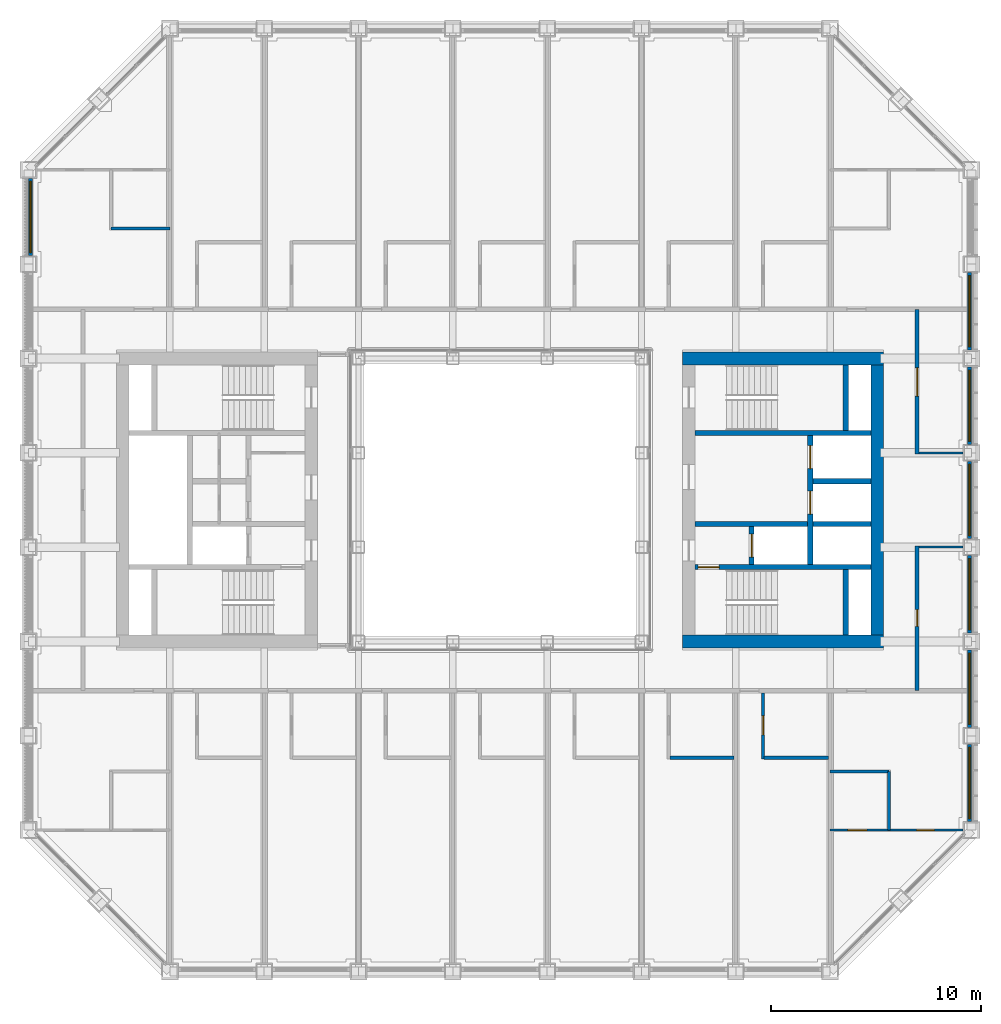
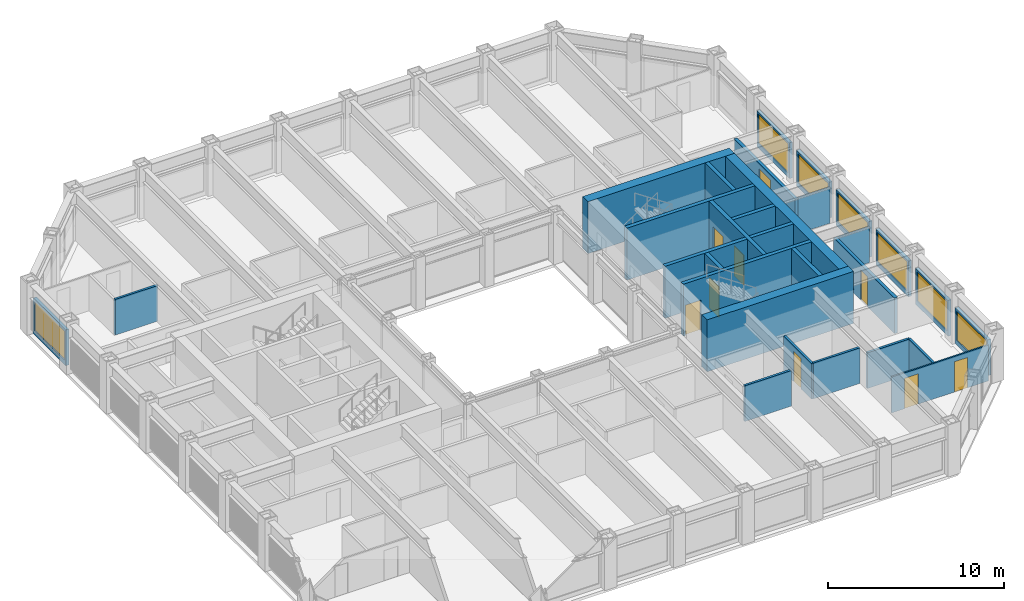
# One storey, part 13 of 18: 30 walls, 9 doors, 7 windows, 16 openings.
"""IFC4 building model written with IfcOpenShell, lengths in metres."""

from ifc_helpers import new_model, si_unit, direction, frame, frame_2d, origin, place, context, subcontext, project, spatial, rectangle, extrude, material, layer, layer_set, type_object, element, fill, save


model = new_model("IFC4")

# Units and contexts
model_context = context("Model", 3, precision=1e-05, world=origin(), true_north=direction((0.0, 1.0)))
body_context = subcontext(model_context, "Body", "Model", "MODEL_VIEW")
ifc_project = project(units=[si_unit("LENGTHUNIT", "METRE"), si_unit("AREAUNIT", "SQUARE_METRE"), si_unit("VOLUMEUNIT", "CUBIC_METRE"), si_unit("PLANEANGLEUNIT", "RADIAN"), si_unit("MASSUNIT", "GRAM", prefix="KILO")], contexts=[model_context])

# Site, building, storey
site_placement = place(None, origin())
site = spatial("IfcSite", under=ifc_project, at=site_placement, CompositionType="ELEMENT")
building_placement = place(site_placement, origin())
building = spatial("IfcBuilding", under=site, at=building_placement, Name="Msasa Ring Tower", CompositionType="ELEMENT")
storey_placement = place(building_placement, frame((0.0, 0.0, 118.39990234375)))
storey = spatial("IfcBuildingStorey", under=building, at=storey_placement, Name="L30", CompositionType="ELEMENT", Elevation=118.39990234375)

# Walls
ifc_material_1 = material(Name="Concrete C60/75", Category="concrete")
ifc_layer_1 = layer(ifc_material_1, 0.60009765625)
ifc_layer_set_1 = layer_set([ifc_layer_1], Name="CW2 CORE WALL 600")
wall_type_1 = type_object("IfcWallType", Name="CW2 CORE WALL 600", PredefinedType="SHEAR", material=ifc_layer_set_1)
for number, where, z_axis, x_axis, name in (
    (1, (8.699951171875, -6.75, 0.0), (0.0, 0.0, 1.0), (1.0, 0.0, 0.0), "E core wall S L30"),
    (2, (8.699951171875, 6.75, 0.0), (0.0, 0.0, 1.0), (1.0, 0.0, 0.0), "E core wall N L30"),
):
    element("IfcWall", number, at=place(storey_placement, frame(where, z_axis=z_axis, x_axis=x_axis)), inside=storey, type_object=wall_type_1, Name=name, PredefinedType="SHEAR", context=body_context, shape_type="SweptSolid", body=[
        extrude(rectangle(XDim=9.60009765625, YDim=0.60009765625, at=frame_2d((4.800048828125, 0.0))), origin(), (0.0, 0.0, 1.0), 3.60009765625),
    ])
wall_1_placement = place(storey_placement, frame((18.0, -6.449951171875, 0.0), z_axis=(0.0, 0.0, 1.0), x_axis=(0.0, 1.0, 0.0)))
element("IfcWall", 3, at=wall_1_placement, inside=storey, type_object=wall_type_1, Name="E core wall E L30", PredefinedType="SHEAR", context=body_context, shape_type="SweptSolid", body=[
    extrude(rectangle(XDim=12.89990234375, YDim=0.60009765625, at=frame_2d((6.449951171875, 0.0))), origin(), (0.0, 0.0, 1.0), 3.60009765625),
])

# Wall, opening, door
ifc_material_2 = material(Name="Concrete C60/75", Category="concrete")
ifc_layer_2 = layer(ifc_material_2, 0.25)
ifc_layer_set_2 = layer_set([ifc_layer_2], Name="CW4 CORE INNER WALL 250")
wall_type_2 = type_object("IfcWallType", Name="CW4 CORE INNER WALL 250", PredefinedType="SHEAR", material=ifc_layer_set_2)
wall_2_placement = place(storey_placement, frame((9.300048828125, -3.199951171875, 0.0), z_axis=(0.0, 0.0, 1.0), x_axis=(1.0, 0.0, 0.0)))
wall_2 = element("IfcWall", 4, at=wall_2_placement, inside=storey, type_object=wall_type_2, Name="E core wall STAIRA L30", PredefinedType="SHEAR", context=body_context, shape_type="SweptSolid", body=[
    extrude(rectangle(XDim=8.39990234375, YDim=0.25, at=frame_2d((4.199951171875, 0.0))), origin(), (0.0, 0.0, 1.0), 3.60009765625),
])
opening_1_placement = place(wall_2_placement, frame((0.14990234375, 0.0, 0.0)))
opening_1 = element("IfcOpeningElement", 5, at=opening_1_placement, cuts=wall_2, Name="Opening HA-036", PredefinedType="OPENING", context=body_context, shape_type="SweptSolid", body=[
    extrude(rectangle(XDim=1.0, YDim=2.10009765625, at=frame_2d((0.5, 1.050048828125))), frame((0.0, 0.135009765625, 0.0), z_axis=(0.0, -1.0, 0.0), x_axis=(1.0, 0.0, 0.0)), (0.0, 0.0, 1.0), 0.27001953125),
])
ifc_material_3 = material(Name="Timber door leaf in a steel frame", Category="steel")
door_type_1 = type_object("IfcDoorType", Name="D6 STAIR DOOR 1000x2100", OperationType="SINGLE_SWING_LEFT", PredefinedType="DOOR", material=ifc_material_3)
door_1_placement = place(opening_1_placement, origin())
door_1 = element("IfcDoor", 6, at=door_1_placement, inside=storey, type_object=door_type_1, Name="Door L30-ESTA", OperationType="SINGLE_SWING_LEFT", OverallHeight=2.10009765625, OverallWidth=1.0, PredefinedType="DOOR", context=body_context, shape_type="SweptSolid", body=[
    extrude(rectangle(XDim=1.0, YDim=2.10009765625, at=frame_2d((0.5, 1.050048828125))), frame((0.0, 0.02490234375, 0.0), z_axis=(0.0, -1.0, 0.0), x_axis=(1.0, 0.0, 0.0)), (0.0, 0.0, 1.0), 0.050048828125),
])
fill(opening_1, door_1)

# Walls
wall_3_placement = place(storey_placement, frame((9.300048828125, 3.199951171875, 0.0), z_axis=(0.0, 0.0, 1.0), x_axis=(1.0, 0.0, 0.0)))
element("IfcWall", 7, at=wall_3_placement, inside=storey, type_object=wall_type_2, Name="E core wall STAIRB L30", PredefinedType="SHEAR", context=body_context, shape_type="SweptSolid", body=[
    extrude(rectangle(XDim=8.39990234375, YDim=0.25, at=frame_2d((4.199951171875, 0.0))), origin(), (0.0, 0.0, 1.0), 3.60009765625),
])
for number, where, z_axis, x_axis, name in (
    (8, (16.5, -6.449951171875, 0.0), (0.0, 0.0, 1.0), (0.0, 1.0, 0.0), "E core wall RISERA L30"),
    (9, (16.5, 3.324951171875, 0.0), (0.0, 0.0, 1.0), (0.0, 1.0, 0.0), "E core wall RISERB L30"),
):
    element("IfcWall", number, at=place(storey_placement, frame(where, z_axis=z_axis, x_axis=x_axis)), inside=storey, type_object=wall_type_2, Name=name, PredefinedType="SHEAR", context=body_context, shape_type="SweptSolid", body=[
        extrude(rectangle(XDim=3.125, YDim=0.25, at=frame_2d((1.5625, 0.0))), origin(), (0.0, 0.0, 1.0), 3.60009765625),
    ])
wall_4_placement = place(storey_placement, frame((9.300048828125, -1.14990234375, 0.0), z_axis=(0.0, 0.0, 1.0), x_axis=(1.0, 0.0, 0.0)))
element("IfcWall", 10, at=wall_4_placement, inside=storey, type_object=wall_type_2, Name="E core wall FFL L30", PredefinedType="SHEAR", context=body_context, shape_type="SweptSolid", body=[
    extrude(rectangle(XDim=5.375, YDim=0.25, at=frame_2d((2.6875, 0.0))), origin(), (0.0, 0.0, 1.0), 3.60009765625),
])

# Wall, opening, door
wall_5_placement = place(storey_placement, frame((12.0, -3.074951171875, 0.0), z_axis=(0.0, 0.0, 1.0), x_axis=(0.0, 1.0, 0.0)))
wall_5 = element("IfcWall", 11, at=wall_5_placement, inside=storey, type_object=wall_type_2, Name="E core wall LOBBY L30", PredefinedType="SHEAR", context=body_context, shape_type="SweptSolid", body=[
    extrude(rectangle(XDim=1.800048828125, YDim=0.25, at=frame_2d((0.89990234375, 0.0))), origin(), (0.0, 0.0, 1.0), 3.60009765625),
])
opening_2_placement = place(wall_5_placement, frame((0.35009765625, 0.0, 0.0)))
opening_2 = element("IfcOpeningElement", 12, at=opening_2_placement, cuts=wall_5, Name="Opening LD1", PredefinedType="OPENING", context=body_context, shape_type="SweptSolid", body=[
    extrude(rectangle(XDim=1.10009765625, YDim=2.10009765625, at=frame_2d((0.550048828125, 1.050048828125))), frame((0.0, 0.135009765625, 0.0), z_axis=(0.0, -1.0, 0.0), x_axis=(1.0, 0.0, 0.0)), (0.0, 0.0, 1.0), 0.27001953125),
])
ifc_material_4 = material(Name="Stainless steel lift landing door", Category="steel")
door_type_2 = type_object("IfcDoorType", Name="LD1 LIFT LANDING DOOR 1100x2100", OperationType="DOUBLE_DOOR_SLIDING", PredefinedType="DOOR", material=ifc_material_4)
door_2_placement = place(opening_2_placement, origin())
door_2 = element("IfcDoor", 13, at=door_2_placement, inside=storey, type_object=door_type_2, Name="Lift landing door FL-E L30", OperationType="DOUBLE_DOOR_SLIDING", OverallHeight=2.10009765625, OverallWidth=1.10009765625, PredefinedType="DOOR", context=body_context, shape_type="SweptSolid", body=[
    extrude(rectangle(XDim=1.10009765625, YDim=2.10009765625, at=frame_2d((0.550048828125, 1.050048828125))), frame((0.0, 0.02490234375, 0.0), z_axis=(0.0, -1.0, 0.0), x_axis=(1.0, 0.0, 0.0)), (0.0, 0.0, 1.0), 0.050048828125),
])
fill(opening_2, door_2)

# Wall, openings, doors
wall_6_placement = place(storey_placement, frame((14.800048828125, -3.074951171875, 0.0), z_axis=(0.0, 0.0, 1.0), x_axis=(0.0, 1.0, 0.0)))
wall_6 = element("IfcWall", 14, at=wall_6_placement, inside=storey, type_object=wall_type_2, Name="E core wall SHAFT L30", PredefinedType="SHEAR", context=body_context, shape_type="SweptSolid", body=[
    extrude(rectangle(XDim=6.14990234375, YDim=0.25, at=frame_2d((3.074951171875, 0.0))), origin(), (0.0, 0.0, 1.0), 3.60009765625),
])
opening_3_placement = place(wall_6_placement, frame((2.39990234375, 0.0, 0.0)))
opening_3 = element("IfcOpeningElement", 15, at=opening_3_placement, cuts=wall_6, Name="Opening LD1", PredefinedType="OPENING", context=body_context, shape_type="SweptSolid", body=[
    extrude(rectangle(XDim=1.10009765625, YDim=2.10009765625, at=frame_2d((0.550048828125, 1.050048828125))), frame((0.0, 0.135009765625, 0.0), z_axis=(0.0, -1.0, 0.0), x_axis=(1.0, 0.0, 0.0)), (0.0, 0.0, 1.0), 0.27001953125),
])
opening_4_placement = place(wall_6_placement, frame((4.574951171875, 0.0, 0.0)))
opening_4 = element("IfcOpeningElement", 16, at=opening_4_placement, cuts=wall_6, Name="Opening LD1", PredefinedType="OPENING", context=body_context, shape_type="SweptSolid", body=[
    extrude(rectangle(XDim=1.10009765625, YDim=2.10009765625, at=frame_2d((0.550048828125, 1.050048828125))), frame((0.0, 0.135009765625, 0.0), z_axis=(0.0, -1.0, 0.0), x_axis=(1.0, 0.0, 0.0)), (0.0, 0.0, 1.0), 0.27001953125),
])
door_3_placement = place(opening_3_placement, origin())
door_3 = element("IfcDoor", 17, at=door_3_placement, inside=storey, type_object=door_type_2, Name="Lift landing door PL-H1 L30", OperationType="DOUBLE_DOOR_SLIDING", OverallHeight=2.10009765625, OverallWidth=1.10009765625, PredefinedType="DOOR", context=body_context, shape_type="SweptSolid", body=[
    extrude(rectangle(XDim=1.10009765625, YDim=2.10009765625, at=frame_2d((0.550048828125, 1.050048828125))), frame((0.0, 0.02490234375, 0.0), z_axis=(0.0, -1.0, 0.0), x_axis=(1.0, 0.0, 0.0)), (0.0, 0.0, 1.0), 0.050048828125),
])
fill(opening_3, door_3)
door_4_placement = place(opening_4_placement, origin())
door_4 = element("IfcDoor", 18, at=door_4_placement, inside=storey, type_object=door_type_2, Name="Lift landing door PL-H2 L30", OperationType="DOUBLE_DOOR_SLIDING", OverallHeight=2.10009765625, OverallWidth=1.10009765625, PredefinedType="DOOR", context=body_context, shape_type="SweptSolid", body=[
    extrude(rectangle(XDim=1.10009765625, YDim=2.10009765625, at=frame_2d((0.550048828125, 1.050048828125))), frame((0.0, 0.02490234375, 0.0), z_axis=(0.0, -1.0, 0.0), x_axis=(1.0, 0.0, 0.0)), (0.0, 0.0, 1.0), 0.050048828125),
])
fill(opening_4, door_4)

# Walls
for number, where, z_axis, x_axis, name in (
    (19, (14.925048828125, -1.14990234375, 0.0), (0.0, 0.0, 1.0), (1.0, 0.0, 0.0), "E core wall HSEP L30"),
    (20, (14.925048828125, 0.89990234375, 0.0), (0.0, 0.0, 1.0), (1.0, 0.0, 0.0), "E core wall HLIFT L30"),
):
    element("IfcWall", number, at=place(storey_placement, frame(where, z_axis=z_axis, x_axis=x_axis)), inside=storey, type_object=wall_type_2, Name=name, PredefinedType="SHEAR", context=body_context, shape_type="SweptSolid", body=[
        extrude(rectangle(XDim=2.77490234375, YDim=0.25, at=frame_2d((1.387451171875, 0.0))), origin(), (0.0, 0.0, 1.0), 3.60009765625),
    ])

# Wall, opening, window
ifc_material_5 = material(Name="Terracotta rainscreen on blockwork", Category="masonry")
ifc_layer_3 = layer(ifc_material_5, 0.199951171875)
ifc_layer_set_3 = layer_set([ifc_layer_3], Name="FW1 TERRACOTTA-LINED INFILL BAY WALL 200")
wall_type_3 = type_object("IfcWallType", Name="FW1 TERRACOTTA-LINED INFILL BAY WALL 200", PredefinedType="SOLIDWALL", material=ifc_layer_set_3)
wall_7_placement = place(storey_placement, frame((22.39990234375, -15.344970703125, 0.0), z_axis=(0.0, 0.0, 1.0), x_axis=(0.0, 1.0, 0.0)))
wall_7 = element("IfcWall", 21, at=wall_7_placement, inside=storey, type_object=wall_type_3, Name="Infill bay wall E L30 09", PredefinedType="SOLIDWALL", context=body_context, shape_type="SweptSolid", body=[
    extrude(rectangle(XDim=3.68994140625, YDim=0.199951171875, at=frame_2d((1.844970703125, 0.0))), origin(), (0.0, 0.0, 1.0), 2.47900390625),
])
opening_5_placement = place(wall_7_placement, frame((0.14501953125, 0.0, 0.300048828125)))
opening_5 = element("IfcOpeningElement", 22, at=opening_5_placement, cuts=wall_7, Name="Opening WN2", PredefinedType="OPENING", context=body_context, shape_type="SweptSolid", body=[
    extrude(rectangle(XDim=3.39990234375, YDim=2.029052734375, at=frame_2d((1.699951171875, 1.0146484375))), frame((0.0, 0.10986328125, 0.0), z_axis=(0.0, -1.0, 0.0), x_axis=(1.0, 0.0, 0.0)), (0.0, 0.0, 1.0), 0.219970703125),
])
ifc_material_6 = material(Name="Aluminium frame with clear glass", Category="aluminium")
window_type = type_object("IfcWindowType", Name="WN2 GUEST ROOM WINDOW 3400x2029", PartitioningType="SINGLE_PANEL", PredefinedType="WINDOW", material=ifc_material_6)
window_1_placement = place(opening_5_placement, origin())
window_1 = element("IfcWindow", 23, at=window_1_placement, inside=storey, type_object=window_type, Name="Window E L30 09", OverallHeight=2.029052734375, OverallWidth=3.39990234375, PartitioningType="SINGLE_PANEL", PredefinedType="WINDOW", context=body_context, shape_type="SweptSolid", body=[
    extrude(rectangle(XDim=3.39990234375, YDim=2.029052734375, at=frame_2d((1.699951171875, 1.0146484375))), frame((0.0, 0.030029296875, 0.0), z_axis=(0.0, -1.0, 0.0), x_axis=(1.0, 0.0, 0.0)), (0.0, 0.0, 1.0), 0.06005859375),
])
fill(opening_5, window_1)

wall_8_placement = place(storey_placement, frame((22.39990234375, -10.844970703125, 0.0), z_axis=(0.0, 0.0, 1.0), x_axis=(0.0, 1.0, 0.0)))
wall_8 = element("IfcWall", 24, at=wall_8_placement, inside=storey, type_object=wall_type_3, Name="Infill bay wall E L30 10", PredefinedType="SOLIDWALL", context=body_context, shape_type="SweptSolid", body=[
    extrude(rectangle(XDim=3.68994140625, YDim=0.199951171875, at=frame_2d((1.844970703125, 0.0))), origin(), (0.0, 0.0, 1.0), 2.47900390625),
])
opening_6_placement = place(wall_8_placement, frame((0.14501953125, 0.0, 0.300048828125)))
opening_6 = element("IfcOpeningElement", 25, at=opening_6_placement, cuts=wall_8, Name="Opening WN2", PredefinedType="OPENING", context=body_context, shape_type="SweptSolid", body=[
    extrude(rectangle(XDim=3.39990234375, YDim=2.029052734375, at=frame_2d((1.699951171875, 1.0146484375))), frame((0.0, 0.10986328125, 0.0), z_axis=(0.0, -1.0, 0.0), x_axis=(1.0, 0.0, 0.0)), (0.0, 0.0, 1.0), 0.219970703125),
])
window_2_placement = place(opening_6_placement, origin())
window_2 = element("IfcWindow", 26, at=window_2_placement, inside=storey, type_object=window_type, Name="Window E L30 10", OverallHeight=2.029052734375, OverallWidth=3.39990234375, PartitioningType="SINGLE_PANEL", PredefinedType="WINDOW", context=body_context, shape_type="SweptSolid", body=[
    extrude(rectangle(XDim=3.39990234375, YDim=2.029052734375, at=frame_2d((1.699951171875, 1.0146484375))), frame((0.0, 0.030029296875, 0.0), z_axis=(0.0, -1.0, 0.0), x_axis=(1.0, 0.0, 0.0)), (0.0, 0.0, 1.0), 0.06005859375),
])
fill(opening_6, window_2)

wall_9_placement = place(storey_placement, frame((22.39990234375, -6.344970703125, 0.0), z_axis=(0.0, 0.0, 1.0), x_axis=(0.0, 1.0, 0.0)))
wall_9 = element("IfcWall", 27, at=wall_9_placement, inside=storey, type_object=wall_type_3, Name="Infill bay wall E L30 11", PredefinedType="SOLIDWALL", context=body_context, shape_type="SweptSolid", body=[
    extrude(rectangle(XDim=3.68994140625, YDim=0.199951171875, at=frame_2d((1.844970703125, 0.0))), origin(), (0.0, 0.0, 1.0), 2.47900390625),
])
opening_7_placement = place(wall_9_placement, frame((0.14501953125, 0.0, 0.300048828125)))
opening_7 = element("IfcOpeningElement", 28, at=opening_7_placement, cuts=wall_9, Name="Opening WN2", PredefinedType="OPENING", context=body_context, shape_type="SweptSolid", body=[
    extrude(rectangle(XDim=3.39990234375, YDim=2.029052734375, at=frame_2d((1.699951171875, 1.0146484375))), frame((0.0, 0.10986328125, 0.0), z_axis=(0.0, -1.0, 0.0), x_axis=(1.0, 0.0, 0.0)), (0.0, 0.0, 1.0), 0.219970703125),
])
window_3_placement = place(opening_7_placement, origin())
window_3 = element("IfcWindow", 29, at=window_3_placement, inside=storey, type_object=window_type, Name="Window E L30 11", OverallHeight=2.029052734375, OverallWidth=3.39990234375, PartitioningType="SINGLE_PANEL", PredefinedType="WINDOW", context=body_context, shape_type="SweptSolid", body=[
    extrude(rectangle(XDim=3.39990234375, YDim=2.029052734375, at=frame_2d((1.699951171875, 1.0146484375))), frame((0.0, 0.030029296875, 0.0), z_axis=(0.0, -1.0, 0.0), x_axis=(1.0, 0.0, 0.0)), (0.0, 0.0, 1.0), 0.06005859375),
])
fill(opening_7, window_3)

wall_10_placement = place(storey_placement, frame((22.39990234375, -1.844970703125, 0.0), z_axis=(0.0, 0.0, 1.0), x_axis=(0.0, 1.0, 0.0)))
wall_10 = element("IfcWall", 30, at=wall_10_placement, inside=storey, type_object=wall_type_3, Name="Infill bay wall E L30 12", PredefinedType="SOLIDWALL", context=body_context, shape_type="SweptSolid", body=[
    extrude(rectangle(XDim=3.68994140625, YDim=0.199951171875, at=frame_2d((1.844970703125, 0.0))), origin(), (0.0, 0.0, 1.0), 2.47900390625),
])
opening_8_placement = place(wall_10_placement, frame((0.14501953125, 0.0, 0.300048828125)))
opening_8 = element("IfcOpeningElement", 31, at=opening_8_placement, cuts=wall_10, Name="Opening WN2", PredefinedType="OPENING", context=body_context, shape_type="SweptSolid", body=[
    extrude(rectangle(XDim=3.39990234375, YDim=2.029052734375, at=frame_2d((1.699951171875, 1.0146484375))), frame((0.0, 0.10986328125, 0.0), z_axis=(0.0, -1.0, 0.0), x_axis=(1.0, 0.0, 0.0)), (0.0, 0.0, 1.0), 0.219970703125),
])
window_4_placement = place(opening_8_placement, origin())
window_4 = element("IfcWindow", 32, at=window_4_placement, inside=storey, type_object=window_type, Name="Window E L30 12", OverallHeight=2.029052734375, OverallWidth=3.39990234375, PartitioningType="SINGLE_PANEL", PredefinedType="WINDOW", context=body_context, shape_type="SweptSolid", body=[
    extrude(rectangle(XDim=3.39990234375, YDim=2.029052734375, at=frame_2d((1.699951171875, 1.0146484375))), frame((0.0, 0.030029296875, 0.0), z_axis=(0.0, -1.0, 0.0), x_axis=(1.0, 0.0, 0.0)), (0.0, 0.0, 1.0), 0.06005859375),
])
fill(opening_8, window_4)

wall_11_placement = place(storey_placement, frame((22.39990234375, 2.655029296875, 0.0), z_axis=(0.0, 0.0, 1.0), x_axis=(0.0, 1.0, 0.0)))
wall_11 = element("IfcWall", 33, at=wall_11_placement, inside=storey, type_object=wall_type_3, Name="Infill bay wall E L30 13", PredefinedType="SOLIDWALL", context=body_context, shape_type="SweptSolid", body=[
    extrude(rectangle(XDim=3.68994140625, YDim=0.199951171875, at=frame_2d((1.844970703125, 0.0))), origin(), (0.0, 0.0, 1.0), 2.47900390625),
])
opening_9_placement = place(wall_11_placement, frame((0.14501953125, 0.0, 0.300048828125)))
opening_9 = element("IfcOpeningElement", 34, at=opening_9_placement, cuts=wall_11, Name="Opening WN2", PredefinedType="OPENING", context=body_context, shape_type="SweptSolid", body=[
    extrude(rectangle(XDim=3.39990234375, YDim=2.029052734375, at=frame_2d((1.699951171875, 1.0146484375))), frame((0.0, 0.10986328125, 0.0), z_axis=(0.0, -1.0, 0.0), x_axis=(1.0, 0.0, 0.0)), (0.0, 0.0, 1.0), 0.219970703125),
])
window_5_placement = place(opening_9_placement, origin())
window_5 = element("IfcWindow", 35, at=window_5_placement, inside=storey, type_object=window_type, Name="Window E L30 13", OverallHeight=2.029052734375, OverallWidth=3.39990234375, PartitioningType="SINGLE_PANEL", PredefinedType="WINDOW", context=body_context, shape_type="SweptSolid", body=[
    extrude(rectangle(XDim=3.39990234375, YDim=2.029052734375, at=frame_2d((1.699951171875, 1.0146484375))), frame((0.0, 0.030029296875, 0.0), z_axis=(0.0, -1.0, 0.0), x_axis=(1.0, 0.0, 0.0)), (0.0, 0.0, 1.0), 0.06005859375),
])
fill(opening_9, window_5)

wall_12_placement = place(storey_placement, frame((22.39990234375, 7.155029296875, 0.0), z_axis=(0.0, 0.0, 1.0), x_axis=(0.0, 1.0, 0.0)))
wall_12 = element("IfcWall", 36, at=wall_12_placement, inside=storey, type_object=wall_type_3, Name="Infill bay wall E L30 14", PredefinedType="SOLIDWALL", context=body_context, shape_type="SweptSolid", body=[
    extrude(rectangle(XDim=3.68994140625, YDim=0.199951171875, at=frame_2d((1.844970703125, 0.0))), origin(), (0.0, 0.0, 1.0), 2.47900390625),
])
opening_10_placement = place(wall_12_placement, frame((0.14501953125, 0.0, 0.300048828125)))
opening_10 = element("IfcOpeningElement", 37, at=opening_10_placement, cuts=wall_12, Name="Opening WN2", PredefinedType="OPENING", context=body_context, shape_type="SweptSolid", body=[
    extrude(rectangle(XDim=3.39990234375, YDim=2.029052734375, at=frame_2d((1.699951171875, 1.0146484375))), frame((0.0, 0.10986328125, 0.0), z_axis=(0.0, -1.0, 0.0), x_axis=(1.0, 0.0, 0.0)), (0.0, 0.0, 1.0), 0.219970703125),
])
window_6_placement = place(opening_10_placement, origin())
window_6 = element("IfcWindow", 38, at=window_6_placement, inside=storey, type_object=window_type, Name="Window E L30 14", OverallHeight=2.029052734375, OverallWidth=3.39990234375, PartitioningType="SINGLE_PANEL", PredefinedType="WINDOW", context=body_context, shape_type="SweptSolid", body=[
    extrude(rectangle(XDim=3.39990234375, YDim=2.029052734375, at=frame_2d((1.699951171875, 1.0146484375))), frame((0.0, 0.030029296875, 0.0), z_axis=(0.0, -1.0, 0.0), x_axis=(1.0, 0.0, 0.0)), (0.0, 0.0, 1.0), 0.06005859375),
])
fill(opening_10, window_6)

wall_13_placement = place(storey_placement, frame((-22.39990234375, 11.655029296875, 0.0), z_axis=(0.0, 0.0, 1.0), x_axis=(0.0, 1.0, 0.0)))
wall_13 = element("IfcWall", 39, at=wall_13_placement, inside=storey, type_object=wall_type_3, Name="Infill bay wall W L30 33", PredefinedType="SOLIDWALL", context=body_context, shape_type="SweptSolid", body=[
    extrude(rectangle(XDim=3.68994140625, YDim=0.199951171875, at=frame_2d((1.844970703125, 0.0))), origin(), (0.0, 0.0, 1.0), 2.47900390625),
])
opening_11_placement = place(wall_13_placement, frame((0.14501953125, 0.0, 0.300048828125)))
opening_11 = element("IfcOpeningElement", 40, at=opening_11_placement, cuts=wall_13, Name="Opening WN2", PredefinedType="OPENING", context=body_context, shape_type="SweptSolid", body=[
    extrude(rectangle(XDim=3.39990234375, YDim=2.029052734375, at=frame_2d((1.699951171875, 1.0146484375))), frame((0.0, 0.10986328125, 0.0), z_axis=(0.0, -1.0, 0.0), x_axis=(1.0, 0.0, 0.0)), (0.0, 0.0, 1.0), 0.219970703125),
])
window_7_placement = place(opening_11_placement, origin())
window_7 = element("IfcWindow", 41, at=window_7_placement, inside=storey, type_object=window_type, Name="Window W L30 33", OverallHeight=2.029052734375, OverallWidth=3.39990234375, PartitioningType="SINGLE_PANEL", PredefinedType="WINDOW", context=body_context, shape_type="SweptSolid", body=[
    extrude(rectangle(XDim=3.39990234375, YDim=2.029052734375, at=frame_2d((1.699951171875, 1.0146484375))), frame((0.0, 0.030029296875, 0.0), z_axis=(0.0, -1.0, 0.0), x_axis=(1.0, 0.0, 0.0)), (0.0, 0.0, 1.0), 0.06005859375),
])
fill(opening_11, window_7)

# Wall, opening, door
ifc_material_7 = material(Name="Concrete blockwork", Category="masonry")
ifc_layer_4 = layer(ifc_material_7, 0.199951171875)
ifc_layer_set_4 = layer_set([ifc_layer_4], Name="PT1 CORRIDOR WALL 200")
wall_type_4 = type_object("IfcWallType", Name="PT1 CORRIDOR WALL 200", PredefinedType="PARTITIONING", material=ifc_layer_set_4)
wall_14_placement = place(storey_placement, frame((19.89990234375, -9.10009765625, 0.0), z_axis=(0.0, 0.0, 1.0), x_axis=(0.0, 1.0, 0.0)))
wall_14 = element("IfcWall", 42, at=wall_14_placement, inside=storey, type_object=wall_type_4, Name="Corridor wall L30-STRES", PredefinedType="PARTITIONING", context=body_context, shape_type="SweptSolid", body=[
    extrude(rectangle(XDim=6.900146484375, YDim=0.199951171875, at=frame_2d((3.4501953125, 0.0))), origin(), (0.0, 0.0, 1.0), 2.473388671875),
])
opening_12_placement = place(wall_14_placement, frame((3.074951171875, 0.0, 0.0)))
opening_12 = element("IfcOpeningElement", 43, at=opening_12_placement, cuts=wall_14, Name="Opening HA-037", PredefinedType="OPENING", context=body_context, shape_type="SweptSolid", body=[
    extrude(rectangle(XDim=0.800048828125, YDim=2.10009765625, at=frame_2d((0.39990234375, 1.050048828125))), frame((0.0, 0.10986328125, 0.0), z_axis=(0.0, -1.0, 0.0), x_axis=(1.0, 0.0, 0.0)), (0.0, 0.0, 1.0), 0.219970703125),
])
ifc_material_8 = material(Name="Timber door leaf in a steel frame", Category="steel")
door_type_3 = type_object("IfcDoorType", Name="D11 NARROW STORE DOOR 800x2100", OperationType="SINGLE_SWING_LEFT", PredefinedType="DOOR", material=ifc_material_8)
door_5_placement = place(opening_12_placement, origin())
door_5 = element("IfcDoor", 44, at=door_5_placement, inside=storey, type_object=door_type_3, Name="Door L30-CLE", OperationType="SINGLE_SWING_LEFT", OverallHeight=2.10009765625, OverallWidth=0.800048828125, PredefinedType="DOOR", context=body_context, shape_type="SweptSolid", body=[
    extrude(rectangle(XDim=0.800048828125, YDim=2.10009765625, at=frame_2d((0.39990234375, 1.050048828125))), frame((0.0, 0.02490234375, 0.0), z_axis=(0.0, -1.0, 0.0), x_axis=(1.0, 0.0, 0.0)), (0.0, 0.0, 1.0), 0.050048828125),
])
fill(opening_12, door_5)

wall_15_placement = place(storey_placement, frame((19.89990234375, 2.199951171875, 0.0), z_axis=(0.0, 0.0, 1.0), x_axis=(0.0, 1.0, 0.0)))
wall_15 = element("IfcWall", 45, at=wall_15_placement, inside=storey, type_object=wall_type_4, Name="Corridor wall L30-STREN", PredefinedType="PARTITIONING", context=body_context, shape_type="SweptSolid", body=[
    extrude(rectangle(XDim=6.900146484375, YDim=0.199951171875, at=frame_2d((3.4501953125, 0.0))), origin(), (0.0, 0.0, 1.0), 2.473388671875),
])
opening_13_placement = place(wall_15_placement, frame((2.75, 0.0, 0.0)))
opening_13 = element("IfcOpeningElement", 46, at=opening_13_placement, cuts=wall_15, Name="Opening HA-022", PredefinedType="OPENING", context=body_context, shape_type="SweptSolid", body=[
    extrude(rectangle(XDim=1.35009765625, YDim=2.10009765625, at=frame_2d((0.675048828125, 1.050048828125))), frame((0.0, 0.10986328125, 0.0), z_axis=(0.0, -1.0, 0.0), x_axis=(1.0, 0.0, 0.0)), (0.0, 0.0, 1.0), 0.219970703125),
])
ifc_material_9 = material(Name="Timber door leaf in a steel frame", Category="steel")
door_type_4 = type_object("IfcDoorType", Name="D23 HOUSEKEEPING UNEQUAL PAIR OF DOORS 1350x2100", OperationType="SINGLE_SWING_LEFT", PredefinedType="DOOR", material=ifc_material_9)
door_6_placement = place(opening_13_placement, origin())
door_6 = element("IfcDoor", 47, at=door_6_placement, inside=storey, type_object=door_type_4, Name="Door L30-HKE", OperationType="SINGLE_SWING_LEFT", OverallHeight=2.10009765625, OverallWidth=1.35009765625, PredefinedType="DOOR", context=body_context, shape_type="SweptSolid", body=[
    extrude(rectangle(XDim=1.35009765625, YDim=2.10009765625, at=frame_2d((0.675048828125, 1.050048828125))), frame((0.0, 0.02490234375, 0.0), z_axis=(0.0, -1.0, 0.0), x_axis=(1.0, 0.0, 0.0)), (0.0, 0.0, 1.0), 0.050048828125),
])
fill(opening_13, door_6)

# Wall, openings, doors
ifc_material_10 = material(Name="Gypsum board on steel studs", Category="steel")
ifc_layer_5 = layer(ifc_material_10, 0.10009765625)
ifc_layer_set_5 = layer_set([ifc_layer_5], Name="PT2 STUD PARTITION 100")
wall_type_5 = type_object("IfcWallType", Name="PT2 STUD PARTITION 100", PredefinedType="PARTITIONING", material=ifc_layer_set_5)
wall_16_placement = place(storey_placement, frame((15.75, -15.75, 0.0), z_axis=(0.0, 0.0, 1.0), x_axis=(1.0, 0.0, 0.0)))
wall_16 = element("IfcWall", 48, at=wall_16_placement, inside=storey, type_object=wall_type_5, Name="Partition L30-CSSEX", PredefinedType="PARTITIONING", context=body_context, shape_type="SweptSolid", body=[
    extrude(rectangle(XDim=6.35009765625, YDim=0.10009765625, at=frame_2d((3.175048828125, 0.0))), origin(), (0.0, 0.0, 1.0), 2.473388671875),
])
opening_14_placement = place(wall_16_placement, frame((4.125, 0.0, 0.0)))
opening_14 = element("IfcOpeningElement", 49, at=opening_14_placement, cuts=wall_16, Name="Opening HA-058", PredefinedType="OPENING", context=body_context, shape_type="SweptSolid", body=[
    extrude(rectangle(XDim=0.85009765625, YDim=2.10009765625, at=frame_2d((0.425048828125, 1.050048828125))), frame((0.0, 0.06005859375, 0.0), z_axis=(0.0, -1.0, 0.0), x_axis=(1.0, 0.0, 0.0)), (0.0, 0.0, 1.0), 0.1201171875),
])
opening_15_placement = place(wall_16_placement, frame((0.85009765625, 0.0, 0.0)))
opening_15 = element("IfcOpeningElement", 50, at=opening_15_placement, cuts=wall_16, Name="Opening HA-057", PredefinedType="OPENING", context=body_context, shape_type="SweptSolid", body=[
    extrude(rectangle(XDim=0.89990234375, YDim=2.10009765625, at=frame_2d((0.449951171875, 1.050048828125))), frame((0.0, 0.06005859375, 0.0), z_axis=(0.0, -1.0, 0.0), x_axis=(1.0, 0.0, 0.0)), (0.0, 0.0, 1.0), 0.1201171875),
])
ifc_material_11 = material(Name="Timber door leaf in a steel frame", Category="steel")
door_type_5 = type_object("IfcDoorType", Name="D14 BEDROOM DOOR 850x2100", OperationType="SINGLE_SWING_LEFT", PredefinedType="DOOR", material=ifc_material_11)
door_7_placement = place(opening_14_placement, origin())
door_7 = element("IfcDoor", 51, at=door_7_placement, inside=storey, type_object=door_type_5, Name="Door L30-CSSER1", OperationType="SINGLE_SWING_RIGHT", OverallHeight=2.10009765625, OverallWidth=0.85009765625, PredefinedType="DOOR", context=body_context, shape_type="SweptSolid", body=[
    extrude(rectangle(XDim=0.85009765625, YDim=2.10009765625, at=frame_2d((0.425048828125, 1.050048828125))), frame((0.0, 0.02490234375, 0.0), z_axis=(0.0, -1.0, 0.0), x_axis=(1.0, 0.0, 0.0)), (0.0, 0.0, 1.0), 0.050048828125),
])
fill(opening_14, door_7)
ifc_material_12 = material(Name="Timber door leaf in a steel frame", Category="steel")
door_type_6 = type_object("IfcDoorType", Name="D3 BATHROOM DOOR 900x2100", OperationType="SINGLE_SWING_LEFT", PredefinedType="DOOR", material=ifc_material_12)
door_8_placement = place(opening_15_placement, origin())
door_8 = element("IfcDoor", 52, at=door_8_placement, inside=storey, type_object=door_type_6, Name="Door L30-CSSEB1", OperationType="SINGLE_SWING_LEFT", OverallHeight=2.10009765625, OverallWidth=0.89990234375, PredefinedType="DOOR", context=body_context, shape_type="SweptSolid", body=[
    extrude(rectangle(XDim=0.89990234375, YDim=2.10009765625, at=frame_2d((0.449951171875, 1.050048828125))), frame((0.0, 0.02490234375, 0.0), z_axis=(0.0, -1.0, 0.0), x_axis=(1.0, 0.0, 0.0)), (0.0, 0.0, 1.0), 0.050048828125),
])
fill(opening_15, door_8)

# Walls
for number, where, z_axis, x_axis, name in (
    (53, (20.0, 2.25, 0.0), (0.0, 0.0, 1.0), (1.0, 0.0, 0.0), "Partition L30-ALEN"),
    (54, (20.0, -2.25, 0.0), (0.0, 0.0, 1.0), (1.0, 0.0, 0.0), "Partition L30-ALES"),
):
    element("IfcWall", number, at=place(storey_placement, frame(where, z_axis=z_axis, x_axis=x_axis)), inside=storey, type_object=wall_type_5, Name=name, PredefinedType="PARTITIONING", context=body_context, shape_type="SweptSolid", body=[
        extrude(rectangle(XDim=2.10009765625, YDim=0.10009765625, at=frame_2d((1.050048828125, 0.0))), origin(), (0.0, 0.0, 1.0), 2.473388671875),
    ])
ifc_material_13 = material(Name="Moisture-resistant board on steel studs with a concealed cistern and pipe void, tiled", Category="steel")
ifc_layer_6 = layer(ifc_material_13, 0.14990234375)
ifc_layer_set_6 = layer_set([ifc_layer_6], Name="PT4 BATHROOM WET WALL 150")
wall_type_6 = type_object("IfcWallType", Name="PT4 BATHROOM WET WALL 150", PredefinedType="PARTITIONING", material=ifc_layer_set_6)
wall_17_placement = place(storey_placement, frame((-18.550048828125, 12.949951171875, 0.0), z_axis=(0.0, 0.0, 1.0), x_axis=(1.0, 0.0, 0.0)))
element("IfcWall", 55, at=wall_17_placement, inside=storey, type_object=wall_type_6, Name="Partition L30-CSNWBY", PredefinedType="PARTITIONING", context=body_context, shape_type="SweptSolid", body=[
    extrude(rectangle(XDim=2.800048828125, YDim=0.14990234375, at=frame_2d((1.39990234375, 0.0))), origin(), (0.0, 0.0, 1.0), 2.473388671875),
])
wall_18_placement = place(storey_placement, frame((8.10009765625, -12.300048828125, 0.0), z_axis=(0.0, 0.0, 1.0), x_axis=(1.0, 0.0, 0.0)))
element("IfcWall", 56, at=wall_18_placement, inside=storey, type_object=wall_type_6, Name="Partition L30-GS05BY", PredefinedType="PARTITIONING", context=body_context, shape_type="SweptSolid", body=[
    extrude(rectangle(XDim=3.0625, YDim=0.14990234375, at=frame_2d((1.53125, 0.0))), origin(), (0.0, 0.0, 1.0), 2.473388671875),
])

# Wall, opening, door
wall_19_placement = place(storey_placement, frame((12.550048828125, -12.35009765625, 0.0), z_axis=(0.0, 0.0, 1.0), x_axis=(0.0, 1.0, 0.0)))
wall_19 = element("IfcWall", 57, at=wall_19_placement, inside=storey, type_object=wall_type_6, Name="Partition L30-GS06BX", PredefinedType="PARTITIONING", context=body_context, shape_type="SweptSolid", body=[
    extrude(rectangle(XDim=3.150146484375, YDim=0.14990234375, at=frame_2d((1.5751953125, 0.0))), origin(), (0.0, 0.0, 1.0), 2.473388671875),
])
opening_16_placement = place(wall_19_placement, frame((1.14990234375, 0.0, 0.0)))
opening_16 = element("IfcOpeningElement", 58, at=opening_16_placement, cuts=wall_19, Name="Opening HA-054", PredefinedType="OPENING", context=body_context, shape_type="SweptSolid", body=[
    extrude(rectangle(XDim=0.89990234375, YDim=2.10009765625, at=frame_2d((0.449951171875, 1.050048828125))), frame((0.0, 0.0849609375, 0.0), z_axis=(0.0, -1.0, 0.0), x_axis=(1.0, 0.0, 0.0)), (0.0, 0.0, 1.0), 0.169921875),
])
door_9_placement = place(opening_16_placement, origin())
door_9 = element("IfcDoor", 59, at=door_9_placement, inside=storey, type_object=door_type_6, Name="Door L30-GS06B", OperationType="SINGLE_SWING_LEFT", OverallHeight=2.10009765625, OverallWidth=0.89990234375, PredefinedType="DOOR", context=body_context, shape_type="SweptSolid", body=[
    extrude(rectangle(XDim=0.89990234375, YDim=2.10009765625, at=frame_2d((0.449951171875, 1.050048828125))), frame((0.0, 0.02490234375, 0.0), z_axis=(0.0, -1.0, 0.0), x_axis=(1.0, 0.0, 0.0)), (0.0, 0.0, 1.0), 0.050048828125),
])
fill(opening_16, door_9)

# Walls
wall_20_placement = place(storey_placement, frame((12.60009765625, -12.300048828125, 0.0), z_axis=(0.0, 0.0, 1.0), x_axis=(1.0, 0.0, 0.0)))
element("IfcWall", 60, at=wall_20_placement, inside=storey, type_object=wall_type_6, Name="Partition L30-GS06BY", PredefinedType="PARTITIONING", context=body_context, shape_type="SweptSolid", body=[
    extrude(rectangle(XDim=3.0625, YDim=0.14990234375, at=frame_2d((1.53125, 0.0))), origin(), (0.0, 0.0, 1.0), 2.473388671875),
])
for number, where, z_axis, x_axis, name in (
    (61, (18.550048828125, -15.75, 0.0), (0.0, 0.0, 1.0), (0.0, 1.0, 0.0), "Partition L30-CSSEBX"),
    (62, (15.75, -12.949951171875, 0.0), (0.0, 0.0, 1.0), (1.0, 0.0, 0.0), "Partition L30-CSSEBY"),
):
    element("IfcWall", number, at=place(storey_placement, frame(where, z_axis=z_axis, x_axis=x_axis)), inside=storey, type_object=wall_type_6, Name=name, PredefinedType="PARTITIONING", context=body_context, shape_type="SweptSolid", body=[
        extrude(rectangle(XDim=2.800048828125, YDim=0.14990234375, at=frame_2d((1.39990234375, 0.0))), origin(), (0.0, 0.0, 1.0), 2.473388671875),
    ])

save(model, "model.ifc")
